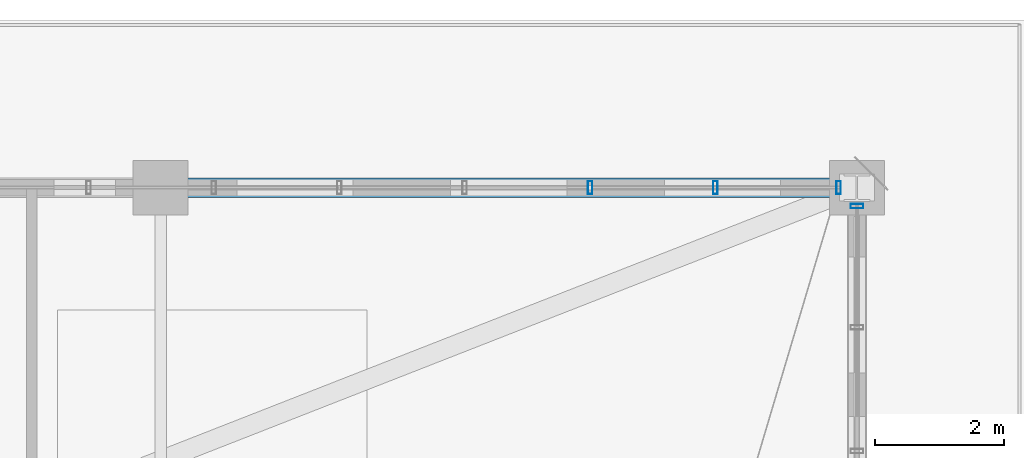
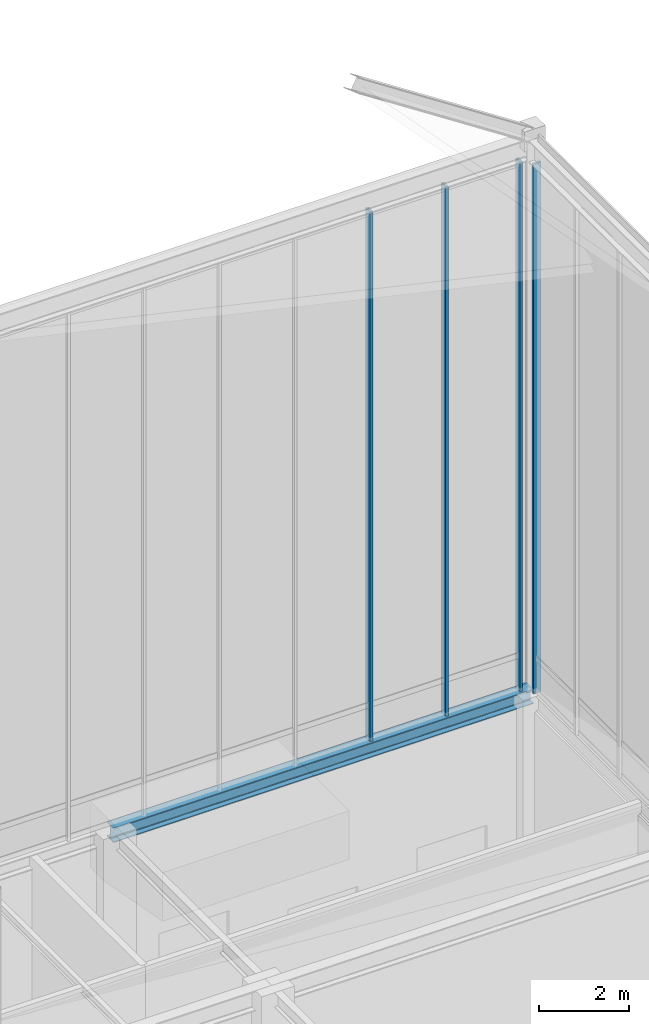
# One storey, part 40 of 49: 4 members, 1 beam, 2 elements without a shape of their own.
"""IFC4 building model written with IfcOpenShell, lengths in metres."""

from ifc_helpers import new_model, si_unit, direction, frame, origin, origin_2d, place, context, subcontext, project, spatial, hollow_rectangle, i_section, extrude, source, transform, mapped, material, layer, layer_set, material_profile, profile_set, type_object, element, aggregate, save


model = new_model("IFC4")

# Units and contexts
model_context = context("Model", 3, precision=1e-05, world=origin(), true_north=direction((0.0, 1.0)))
body_context = subcontext(model_context, "Body", "Model", "MODEL_VIEW")
ifc_project = project(units=[si_unit("LENGTHUNIT", "METRE"), si_unit("AREAUNIT", "SQUARE_METRE"), si_unit("VOLUMEUNIT", "CUBIC_METRE"), si_unit("PLANEANGLEUNIT", "RADIAN"), si_unit("MASSUNIT", "GRAM", prefix="KILO")], contexts=[model_context])

# Site, building, storey
site_placement = place(None, origin())
site = spatial("IfcSite", under=ifc_project, at=site_placement, CompositionType="ELEMENT")
building_placement = place(site_placement, origin())
building = spatial("IfcBuilding", under=site, at=building_placement, Name="Kaliganga Portal Commons", CompositionType="ELEMENT")
storey_placement = place(building_placement, frame((0.0, 0.0, 298.0)))
storey = spatial("IfcBuildingStorey", under=building, at=storey_placement, Name="L77", CompositionType="ELEMENT", Elevation=298.0)

# Beam
ifc_material_1 = material(Name="Structural steel S355J2", Category="steel")
ifc_material_profile_1 = material_profile(ifc_material_1, i_section(OverallWidth=0.300048828125, OverallDepth=0.39990234375, WebThickness=0.013427734375, FlangeThickness=0.02392578125, FilletRadius=0.027099609375, at=origin_2d()), Name="HE 400 B")
ifc_profile_set_1 = profile_set([ifc_material_profile_1], Name="Structural steel S355J2 wide-flange")
beam_type = type_object("IfcBeamType", Name="BM-SPAND-400", PredefinedType="SPANDREL", material=ifc_profile_set_1)
shared_shape_1 = source(origin(), body_context, "Body", "SweptSolid", [
    extrude(i_section(OverallWidth=0.300048828125, OverallDepth=0.39990234375, WebThickness=0.013427734375, FlangeThickness=0.02392578125, FilletRadius=0.027099609375, at=origin_2d()), origin(), (0.0, 0.0, 1.0), 10.800048828125),
])
beam_placement = place(storey_placement, frame((36.0, 43.199951171875, 5.800048828125), z_axis=(1.0, 0.0, 0.0), x_axis=(0.0, 1.0, 0.0)))
element("IfcBeam", 1, at=beam_placement, inside=storey, type_object=beam_type, Name="BM SP L77 AN 7", PredefinedType="SPANDREL", context=body_context, shape_type="MappedRepresentation", body=[
    mapped(shared_shape_1, transform((0.0, 0.0, 0.0), x_axis=(1.0, 0.0, 0.0), y_axis=(0.0, 1.0, 0.0), z_axis=(0.0, 0.0, 1.0), scale=1.0)),
])

# Curtain wall, members
ifc_material_2 = material(Name="Anodized Aluminium and Laminated Low-E Glass", Category="aluminium")
ifc_layer = layer(ifc_material_2, 0.25)
ifc_layer_set = layer_set([ifc_layer], Name="Anodized Aluminium and Laminated Low-E Glass")
curtain_wall_type = type_object("IfcCurtainWallType", Name="CW-SYS-06", PredefinedType="NOTDEFINED", material=ifc_layer_set)
curtain_wall_1_placement = place(storey_placement, origin())
curtain_wall_1 = element("IfcCurtainWall", 2, at=curtain_wall_1_placement, inside=storey, type_object=curtain_wall_type, Name="CW 06 L77 NE", PredefinedType="NOTDEFINED")
ifc_material_3 = material(Name="Dark Bronze Anodized Aluminium", Category="aluminium")
ifc_material_profile_2 = material_profile(ifc_material_3, hollow_rectangle(XDim=0.070068359375, YDim=0.199951171875, WallThickness=0.00390625, at=origin_2d()), Name="ALU MULL 70x200x4")
ifc_profile_set_2 = profile_set([ifc_material_profile_2], Name="Dark Bronze Anodized Aluminium")
member_type = type_object("IfcMemberType", Name="CW-MUL-220", PredefinedType="MULLION", material=ifc_profile_set_2)
shared_shape_2 = source(origin(), body_context, "Body", "SweptSolid", [
    extrude(hollow_rectangle(XDim=0.070068359375, YDim=0.199951171875, WallThickness=0.00390625, at=origin_2d()), origin(), (0.0, 0.0, 1.0), 14.39990234375),
])
member_1_placement = place(storey_placement, frame((46.514892578125, 43.199951171875, 6.0), z_axis=(0.0, 0.0, 1.0), x_axis=(-1.0, 0.0, 0.0)))
member_1 = element("IfcMember", 3, at=member_1_placement, type_object=member_type, Name="CW:06:L77:NE Mullion 00", PredefinedType="MULLION", context=body_context, shape_type="MappedRepresentation", body=[
    mapped(shared_shape_2, transform((0.0, 0.0, 0.0), x_axis=(1.0, 0.0, 0.0), y_axis=(0.0, 1.0, 0.0), z_axis=(0.0, 0.0, 1.0), scale=1.0)),
])
member_2_placement = place(storey_placement, frame((44.605712890625, 43.199951171875, 6.0), z_axis=(0.0, 0.0, 1.0), x_axis=(-1.0, 0.0, 0.0)))
member_2 = element("IfcMember", 4, at=member_2_placement, type_object=member_type, Name="CW:06:L77:NE Mullion 01", PredefinedType="MULLION", context=body_context, shape_type="MappedRepresentation", body=[
    mapped(shared_shape_2, transform((0.0, 0.0, 0.0), x_axis=(1.0, 0.0, 0.0), y_axis=(0.0, 1.0, 0.0), z_axis=(0.0, 0.0, 1.0), scale=1.0)),
])
member_3_placement = place(storey_placement, frame((42.6611328125, 43.199951171875, 6.0), z_axis=(0.0, 0.0, 1.0), x_axis=(-1.0, 0.0, 0.0)))
member_3 = element("IfcMember", 5, at=member_3_placement, type_object=member_type, Name="CW:06:L77:NE Mullion 02", PredefinedType="MULLION", context=body_context, shape_type="MappedRepresentation", body=[
    mapped(shared_shape_2, transform((0.0, 0.0, 0.0), x_axis=(1.0, 0.0, 0.0), y_axis=(0.0, 1.0, 0.0), z_axis=(0.0, 0.0, 1.0), scale=1.0)),
])
aggregate(curtain_wall_1, [member_1, member_2, member_3])

# Curtain wall, member
curtain_wall_2_placement = place(storey_placement, origin())
curtain_wall_2 = element("IfcCurtainWall", 6, at=curtain_wall_2_placement, inside=storey, type_object=curtain_wall_type, Name="CW 06 L77 E", PredefinedType="NOTDEFINED")
member_4_placement = place(storey_placement, frame((46.800048828125, 42.9150390625, 6.0), z_axis=(0.0, 0.0, 1.0), x_axis=(0.0, 1.0, 0.0)))
member_4 = element("IfcMember", 7, at=member_4_placement, type_object=member_type, Name="CW:06:L77:E Mullion 11", PredefinedType="MULLION", context=body_context, shape_type="MappedRepresentation", body=[
    mapped(shared_shape_2, transform((0.0, 0.0, 0.0), x_axis=(1.0, 0.0, 0.0), y_axis=(0.0, 1.0, 0.0), z_axis=(0.0, 0.0, 1.0), scale=1.0)),
])
aggregate(curtain_wall_2, [member_4])

save(model, "model.ifc")
